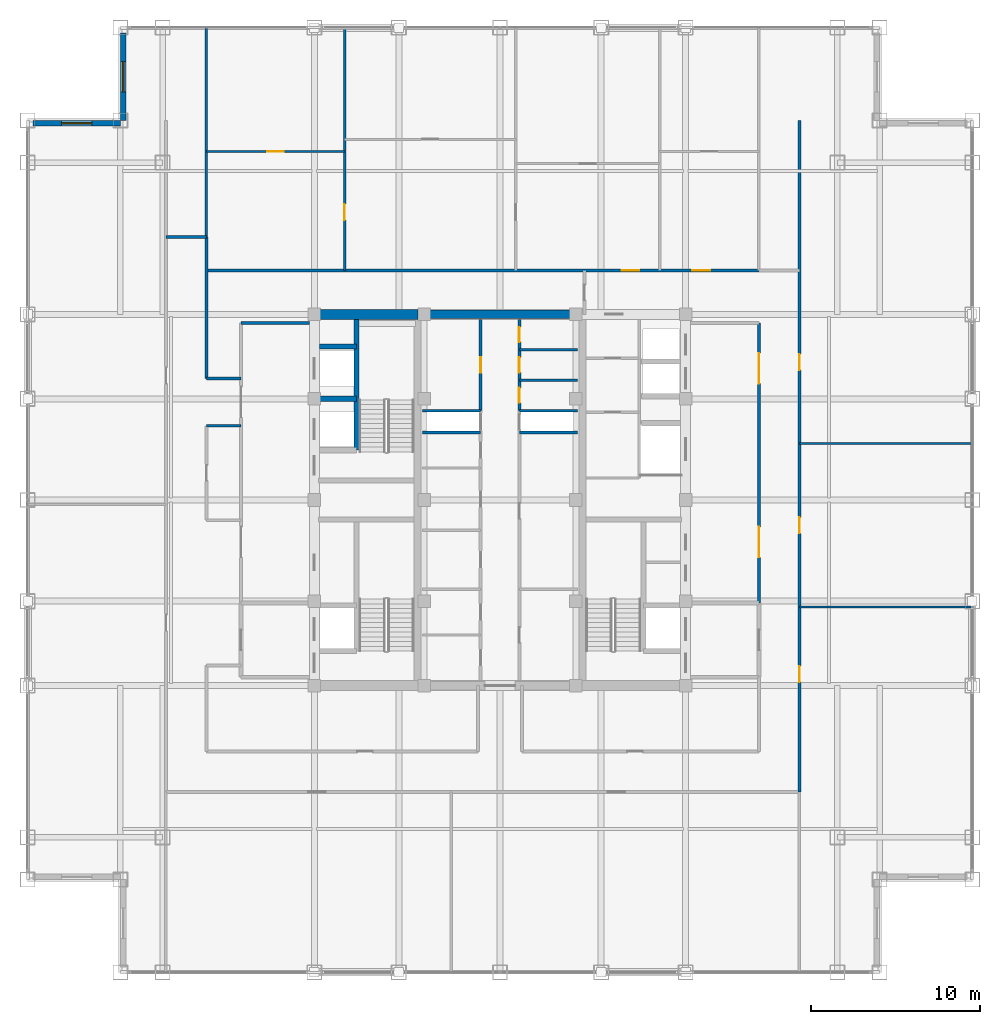
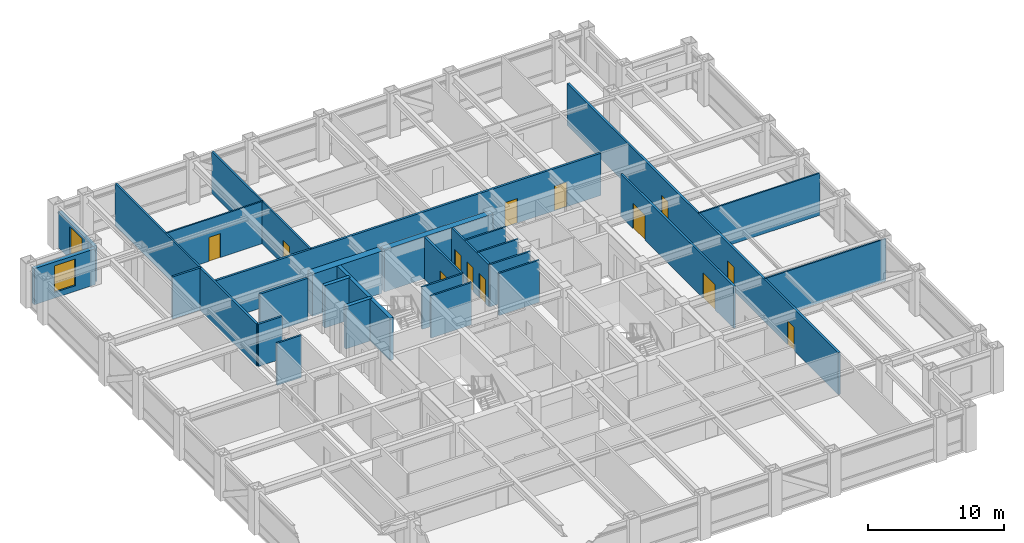
# One storey, part 20 of 22: 28 walls, 13 doors, 2 windows, 15 openings.
"""IFC4 building model written with IfcOpenShell, lengths in metres."""

import ifcopenshell
import ifcopenshell.guid

model = None  # the IFC model being written
_history = None  # IfcOwnerHistory: only IFC2X3 demands one
_inside = {}  # id of a spatial element -> (the spatial element, [elements in it])
_under = {}  # id of a project, library or spatial element -> (it, [spatial elements below it])
_declared = {}  # id of a project -> (the project, [libraries it declares])
_typed = {}  # id of a type object -> (the type object, [elements of that type])
_made_of = {}  # id of a material, layer set ... -> (it, [elements and type objects made of it])


def new_model(schema):
    """Start an empty IFC model of exactly this schema.

    Asked for "IFC4X3", IfcOpenShell would pick the latest addendum, in which some entities
    have other attributes; the version numbers below select the first issue.
    IFC2X3 requires an IfcOwnerHistory on every rooted entity: one is made here for all.
    """
    global model, _history
    if schema == "IFC4X3":
        model = ifcopenshell.file(schema_version=(4, 3, 0, 0))
    else:
        model = ifcopenshell.file(schema=schema)
    _inside.clear()
    _under.clear()
    _declared.clear()
    _typed.clear()
    _made_of.clear()
    _history = None
    if model.schema == "IFC2X3":
        org = make("IfcOrganization", Name="unknown")
        user = make(
            "IfcPersonAndOrganization",
            ThePerson=make("IfcPerson", FamilyName="unknown"),
            TheOrganization=org,
        )
        app = make(
            "IfcApplication",
            ApplicationDeveloper=org,
            Version="unknown",
            ApplicationFullName="unknown",
            ApplicationIdentifier="unknown",
        )
        _history = make(
            "IfcOwnerHistory",
            OwningUser=user,
            OwningApplication=app,
            ChangeAction="ADDED",
            CreationDate=0,
        )
    return model


def make(cls, **values):
    """One entity of the class cls with the attributes given. An attribute that is None is left unset."""
    return model.create_entity(
        cls, **{name: value for name, value in values.items() if value is not None}
    )


def rooted(cls, **values):
    """An entity with a GlobalId (a new one), such as an element, a storey or a relation."""
    return make(cls, GlobalId=ifcopenshell.guid.new(), OwnerHistory=_history, **values)


def si_unit(unit_type, name, prefix=None):
    """IfcSIUnit, for example si_unit("LENGTHUNIT", "METRE", prefix="MILLI")."""
    return make("IfcSIUnit", UnitType=unit_type, Prefix=prefix, Name=name)


def assignment(units):
    """IfcUnitAssignment: the units of a project."""
    return None if units is None else make("IfcUnitAssignment", Units=units)


def point(xyz):
    """IfcCartesianPoint."""
    return None if xyz is None else make("IfcCartesianPoint", Coordinates=xyz)


def direction(xyz):
    """IfcDirection."""
    return None if xyz is None else make("IfcDirection", DirectionRatios=xyz)


def frame(location, z_axis=None, x_axis=None):
    """IfcAxis2Placement3D, a coordinate frame: its origin and axes. An axis left out is left unset."""
    return make(
        "IfcAxis2Placement3D",
        Location=point(location),
        Axis=direction(z_axis),
        RefDirection=direction(x_axis),
    )


def frame_2d(location, x_axis=None):
    """IfcAxis2Placement2D, a coordinate frame in the plane: its origin and x axis."""
    return make(
        "IfcAxis2Placement2D", Location=point(location), RefDirection=direction(x_axis)
    )


def origin():
    """The frame at (0, 0, 0) with its axes left unset."""
    return frame((0.0, 0.0, 0.0))


def place(relative_to, where):
    """IfcLocalPlacement: puts the frame where relative to a parent placement (None: the world)."""
    return make(
        "IfcLocalPlacement", PlacementRelTo=relative_to, RelativePlacement=where
    )


def context(
    kind, dimensions, precision=None, world=None, true_north=None, identifier=None
):
    """IfcGeometricRepresentationContext, for example the 3D "Model" context."""
    return make(
        "IfcGeometricRepresentationContext",
        ContextIdentifier=identifier,
        ContextType=kind,
        CoordinateSpaceDimension=dimensions,
        Precision=precision,
        WorldCoordinateSystem=world,
        TrueNorth=true_north,
    )


def subcontext(parent, identifier, kind, view, scale=None):
    """IfcGeometricRepresentationSubContext, for example "Body" below "Model"."""
    return make(
        "IfcGeometricRepresentationSubContext",
        ContextIdentifier=identifier,
        ContextType=kind,
        ParentContext=parent,
        TargetScale=scale,
        TargetView=view,
    )


def project(units=None, contexts=None):
    """IfcProject with its units and contexts."""
    return rooted(
        "IfcProject",
        Name="project",
        RepresentationContexts=contexts,
        UnitsInContext=assignment(units),
    )


def spatial(cls, under=None, at=None, **own):
    """A site, building, storey or space (cls), placed at a placement, below another one or the project."""
    s = rooted(cls, ObjectPlacement=at, **own)
    if under is not None:
        _under.setdefault(under.id(), (under, []))[1].append(s)
    return s


def profile(cls, at=None, kind="AREA", **sizes):
    """A parametric profile (cls). Its sizes go by their IFC names, for example OverallWidth=200.0."""
    return make(cls, ProfileType=kind, Position=at, **sizes)


def rectangle(**sizes):
    """IfcRectangleProfileDef."""
    return profile("IfcRectangleProfileDef", **sizes)


def extrude(swept, where, along, depth):
    """IfcExtrudedAreaSolid: the profile swept, set in the frame where, extruded along a direction by depth."""
    return make(
        "IfcExtrudedAreaSolid",
        SweptArea=swept,
        Position=where,
        ExtrudedDirection=direction(along),
        Depth=depth,
    )


def shape(context_of_items, identifier, shape_type, items):
    """IfcShapeRepresentation: the items that make up one representation, for example the "Body"."""
    return make(
        "IfcShapeRepresentation",
        ContextOfItems=context_of_items,
        RepresentationIdentifier=identifier,
        RepresentationType=shape_type,
        Items=items,
    )


def source(mapping_origin, context_of_items, identifier, shape_type, items):
    """IfcRepresentationMap: a shape defined once, which mapped items show again and again."""
    return make(
        "IfcRepresentationMap",
        MappingOrigin=mapping_origin,
        MappedRepresentation=shape(context_of_items, identifier, shape_type, items),
    )


def transform(
    local_origin,
    x_axis=None,
    y_axis=None,
    z_axis=None,
    scale=None,
    scale2=None,
    scale3=None,
    uniform=True,
):
    """IfcCartesianTransformationOperator3D, or its non-uniform kind. x_axis, y_axis, z_axis: its Axis1, 2, 3."""
    if uniform:
        return make(
            "IfcCartesianTransformationOperator3D",
            Axis1=direction(x_axis),
            Axis2=direction(y_axis),
            LocalOrigin=point(local_origin),
            Scale=scale,
            Axis3=direction(z_axis),
        )
    return make(
        "IfcCartesianTransformationOperator3DnonUniform",
        Axis1=direction(x_axis),
        Axis2=direction(y_axis),
        LocalOrigin=point(local_origin),
        Scale=scale,
        Axis3=direction(z_axis),
        Scale2=scale2,
        Scale3=scale3,
    )


def mapped(mapping_source, mapping_target):
    """IfcMappedItem: shows the shape of a source again, moved by a transform."""
    return make(
        "IfcMappedItem", MappingSource=mapping_source, MappingTarget=mapping_target
    )


def material(Name=None, Category=None):
    """IfcMaterial."""
    return make("IfcMaterial", Name=Name, Category=Category)


def layer(
    of_material, thickness, ventilated=None, Name=None, Category=None, Priority=None
):
    """IfcMaterialLayer: one layer of a wall or slab, of a material (None: an air gap)."""
    return make(
        "IfcMaterialLayer",
        Material=of_material,
        LayerThickness=thickness,
        IsVentilated=ventilated,
        Name=Name,
        Category=Category,
        Priority=Priority,
    )


def layer_set(layers, Name=None):
    """IfcMaterialLayerSet."""
    return make("IfcMaterialLayerSet", MaterialLayers=layers, LayerSetName=Name)


def made_of(thing, what):
    """Note that an element or type object is made of a material, layer set ...; save() writes the relation."""
    if what is not None:
        _made_of.setdefault(what.id(), (what, []))[1].append(thing)
    return thing


def type_object(cls, material=None, **own):
    """A type object (cls), such as IfcWallType, which elements share."""
    return made_of(rooted(cls, **own), material)


def element(
    cls,
    number,
    at=None,
    inside=None,
    cuts=None,
    type_object=None,
    material=None,
    context=None,
    identifier="Body",
    shape_type=None,
    held_by="IfcProductDefinitionShape",
    body=None,
    shapes=None,
    **own,
):
    """One element of the class cls, such as IfcWall. Its Tag is "e" and its number.

    at: its placement. inside: the storey or other place that contains it. cuts: it is an
    opening in that element (IfcRelVoidsElement). A single representation is given by context,
    identifier, shape_type and body (its items); several are given by shapes. held_by: the class
    of the entity that holds the representations. save() writes the other relations.
    """
    e = rooted(cls, Tag="e%d" % number, ObjectPlacement=at, **own)
    if body is not None:
        shapes = [shape(context, identifier, shape_type, body)]
    if shapes is not None:
        e.Representation = make(held_by, Representations=shapes)
    if inside is not None:
        _inside.setdefault(inside.id(), (inside, []))[1].append(e)
    if cuts is not None:
        rooted(
            "IfcRelVoidsElement", RelatingBuildingElement=cuts, RelatedOpeningElement=e
        )
    if type_object is not None:
        _typed.setdefault(type_object.id(), (type_object, []))[1].append(e)
    return made_of(e, material)


def fill(opening, filler):
    """IfcRelFillsElement: the door or window that sits in an opening."""
    return rooted(
        "IfcRelFillsElement",
        RelatingOpeningElement=opening,
        RelatedBuildingElement=filler,
    )


def aggregate(whole, parts):
    """IfcRelAggregates: a whole, such as a stair, and the parts it consists of."""
    return rooted("IfcRelAggregates", RelatingObject=whole, RelatedObjects=parts)


def save(model, path):
    """Write the relations noted so far, then the file.

    IfcRelAggregates (storeys below a building ...), IfcRelContainedInSpatialStructure (elements
    in a storey), IfcRelDefinesByType, IfcRelAssociatesMaterial and IfcRelDeclares: one each for
    every whole, place, type object, material and project.
    """
    for whole, parts in _under.values():
        aggregate(whole, parts)
    for where, things in _inside.values():
        rooted(
            "IfcRelContainedInSpatialStructure",
            RelatedElements=things,
            RelatingStructure=where,
        )
    for kind, things in _typed.values():
        rooted("IfcRelDefinesByType", RelatedObjects=things, RelatingType=kind)
    for what, things in _made_of.values():
        rooted("IfcRelAssociatesMaterial", RelatedObjects=things, RelatingMaterial=what)
    for by, libraries in _declared.values():
        rooted("IfcRelDeclares", RelatingContext=by, RelatedDefinitions=libraries)
    model.write(path)


model = new_model("IFC4")

# Units and contexts
model_context = context("Model", 3, precision=1e-05, world=origin(), true_north=direction((0.0, 1.0)))
body_context = subcontext(model_context, "Body", "Model", "MODEL_VIEW")
ifc_project = project(units=[si_unit("LENGTHUNIT", "METRE"), si_unit("AREAUNIT", "SQUARE_METRE"), si_unit("VOLUMEUNIT", "CUBIC_METRE"), si_unit("PLANEANGLEUNIT", "RADIAN"), si_unit("MASSUNIT", "GRAM", prefix="KILO")], contexts=[model_context])

# Site, building, storey
site_placement = place(None, origin())
site = spatial("IfcSite", under=ifc_project, at=site_placement, CompositionType="ELEMENT")
building_placement = place(site_placement, origin())
building = spatial("IfcBuilding", under=site, at=building_placement, Name="Khorayat Bourse Tower", CompositionType="ELEMENT")
storey_placement = place(building_placement, frame((0.0, 0.0, 301.5)))
storey = spatial("IfcBuildingStorey", under=building, at=storey_placement, Name="L71", CompositionType="ELEMENT", Elevation=301.5)

# Walls
ifc_material_1 = material(Name="Concrete C60/75", Category="concrete")
ifc_layer_1 = layer(ifc_material_1, 0.60009765625)
ifc_layer_set_1 = layer_set([ifc_layer_1], Name="Concrete C60/75")
wall_type_1 = type_object("IfcWallType", Name="WAL-CORE-600", PredefinedType="SHEAR", material=ifc_layer_set_1)
shared_shape_1 = source(origin(), body_context, "Body", "SweptSolid", [
    extrude(rectangle(XDim=5.89990234375, YDim=0.60009765625, at=frame_2d((2.949951171875, 0.0))), origin(), (0.0, 0.0, 1.0), 3.780029296875),
])
wall_1_placement = place(storey_placement, frame((-10.75, 11.0, 0.0), z_axis=(0.0, 0.0, 1.0), x_axis=(1.0, 0.0, 0.0)))
element("IfcWall", 1, at=wall_1_placement, inside=storey, type_object=wall_type_1, Name="L71 Core Shear Wall PIER-WN", PredefinedType="SHEAR", context=body_context, shape_type="MappedRepresentation", body=[
    mapped(shared_shape_1, transform((0.0, 0.0, 0.0), scale=1.0)),
])
ifc_material_2 = material(Name="Concrete C52/65", Category="concrete")
ifc_layer_2 = layer(ifc_material_2, 0.5)
ifc_layer_set_2 = layer_set([ifc_layer_2], Name="Concrete C52/65")
wall_type_2 = type_object("IfcWallType", Name="WAL-CORE-500", PredefinedType="SHEAR", material=ifc_layer_set_2)
shared_shape_2 = source(origin(), body_context, "Body", "SweptSolid", [
    extrude(rectangle(XDim=9.2001953125, YDim=0.5, at=frame_2d((4.60009765625, 0.0))), origin(), (0.0, 0.0, 1.0), 3.780029296875),
])
wall_2_placement = place(storey_placement, frame((-4.60009765625, 11.0, 0.0), z_axis=(0.0, 0.0, 1.0), x_axis=(1.0, 0.0, 0.0)))
element("IfcWall", 2, at=wall_2_placement, inside=storey, type_object=wall_type_2, Name="L71 Core Shear Wall CORE-N", PredefinedType="SHEAR", context=body_context, shape_type="MappedRepresentation", body=[
    mapped(shared_shape_2, transform((0.0, 0.0, 0.0), scale=1.0)),
])

# Wall, opening, window
ifc_material_3 = material(Name="Precast concrete C45/55", Category="concrete")
ifc_layer_3 = layer(ifc_material_3, 0.320068359375)
ifc_layer_set_3 = layer_set([ifc_layer_3], Name="Precast concrete C45/55")
wall_type_3 = type_object("IfcWallType", Name="WAL-EXT-STONE-320", PredefinedType="STANDARD", material=ifc_layer_set_3)
shared_shape_3 = source(origin(), body_context, "Body", "SweptSolid", [
    extrude(rectangle(XDim=5.179931640625, YDim=0.320068359375, at=frame_2d((2.58984375, 0.0))), origin(), (0.0, 0.0, 1.0), 3.23095703125),
])
wall_3_placement = place(storey_placement, frame((-22.340087890625, 22.5, 0.0), z_axis=(0.0, 0.0, 1.0), x_axis=(0.0, 1.0, 0.0)))
wall_3 = element("IfcWall", 3, at=wall_3_placement, inside=storey, type_object=wall_type_3, Name="L71 Re-Entrant Notch Limestone Wall NW-V", PredefinedType="STANDARD", context=body_context, shape_type="MappedRepresentation", body=[
    mapped(shared_shape_3, transform((0.0, 0.0, 0.0), scale=1.0)),
])
shared_shape_4 = source(origin(), body_context, "Body", "SweptSolid", [
    extrude(rectangle(XDim=1.800048828125, YDim=2.39990234375, at=frame_2d((0.89990234375, 1.199951171875))), frame((0.0, 0.169921875, 0.0), z_axis=(0.0, -1.0, 0.0), x_axis=(1.0, 0.0, 0.0)), (0.0, 0.0, 1.0), 0.340087890625),
])
opening_1_placement = place(wall_3_placement, frame((1.68994140625, 0.0, 0.5)))
opening_1 = element("IfcOpeningElement", 4, at=opening_1_placement, cuts=wall_3, Name="Opening WN-04", PredefinedType="OPENING", context=body_context, shape_type="MappedRepresentation", body=[
    mapped(shared_shape_4, transform((0.0, 0.0, 0.0), scale=1.0)),
])
ifc_material_4 = material(Name="Low-E acoustic laminated double glazing", Category="glass")
window_type = type_object("IfcWindowType", Name="WIN-NOTCH-1800x2400", PartitioningType="SINGLE_PANEL", PredefinedType="WINDOW", material=ifc_material_4)
shared_shape_5 = source(origin(), body_context, "Body", "SweptSolid", [
    extrude(rectangle(XDim=1.800048828125, YDim=2.39990234375, at=frame_2d((0.89990234375, 1.199951171875))), frame((0.0, 0.030029296875, 0.0), z_axis=(0.0, -1.0, 0.0), x_axis=(1.0, 0.0, 0.0)), (0.0, 0.0, 1.0), 0.06005859375),
])
window_1_placement = place(opening_1_placement, origin())
window_1 = element("IfcWindow", 5, at=window_1_placement, inside=storey, type_object=window_type, Name="L71 Facade Window 1", OverallHeight=2.39990234375, OverallWidth=1.800048828125, PartitioningType="SINGLE_PANEL", PredefinedType="WINDOW", context=body_context, shape_type="MappedRepresentation", body=[
    mapped(shared_shape_5, transform((0.0, 0.0, 0.0), scale=1.0)),
])
fill(opening_1, window_1)

wall_4_placement = place(storey_placement, frame((-22.5, 22.340087890625, 0.0), z_axis=(0.0, 0.0, 1.0), x_axis=(-1.0, 0.0, 0.0)))
wall_4 = element("IfcWall", 6, at=wall_4_placement, inside=storey, type_object=wall_type_3, Name="L71 Re-Entrant Notch Limestone Wall NW-H", PredefinedType="STANDARD", context=body_context, shape_type="MappedRepresentation", body=[
    mapped(shared_shape_3, transform((0.0, 0.0, 0.0), scale=1.0)),
])
opening_2_placement = place(wall_4_placement, frame((1.68994140625, 0.0, 0.5)))
opening_2 = element("IfcOpeningElement", 7, at=opening_2_placement, cuts=wall_4, Name="Opening WN-04", PredefinedType="OPENING", context=body_context, shape_type="MappedRepresentation", body=[
    mapped(shared_shape_4, transform((0.0, 0.0, 0.0), scale=1.0)),
])
window_2_placement = place(opening_2_placement, origin())
window_2 = element("IfcWindow", 8, at=window_2_placement, inside=storey, type_object=window_type, Name="L71 Facade Window 1", OverallHeight=2.39990234375, OverallWidth=1.800048828125, PartitioningType="SINGLE_PANEL", PredefinedType="WINDOW", context=body_context, shape_type="MappedRepresentation", body=[
    mapped(shared_shape_5, transform((0.0, 0.0, 0.0), scale=1.0)),
])
fill(opening_2, window_2)

# Walls
ifc_material_5 = material(Name="Concrete C50/60", Category="concrete")
ifc_layer_4 = layer(ifc_material_5, 0.300048828125)
ifc_layer_set_4 = layer_set([ifc_layer_4], Name="Concrete C50/60")
wall_type_4 = type_object("IfcWallType", Name="WAL-SHAFT-300", PredefinedType="SHEAR", material=ifc_layer_set_4)
shared_shape_6 = source(origin(), body_context, "Body", "SweptSolid", [
    extrude(rectangle(XDim=2.199951171875, YDim=0.300048828125, at=frame_2d((1.10009765625, 0.0))), origin(), (0.0, 0.0, 1.0), 3.780029296875),
])
for number, where, z_axis, x_axis, name in (
    (9, (-10.699951171875, 6.0, 0.0), (0.0, 0.0, 1.0), (1.0, 0.0, 0.0), "L71 Partition WAL-L71-WPIER-H12"),
    (10, (-10.699951171875, 9.10009765625, 0.0), (0.0, 0.0, 1.0), (1.0, 0.0, 0.0), "L71 Partition WAL-L71-WPIER-H2N"),
):
    element("IfcWall", number, at=place(storey_placement, frame(where, z_axis=z_axis, x_axis=x_axis)), inside=storey, type_object=wall_type_4, Name=name, PredefinedType="SHEAR", context=body_context, shape_type="MappedRepresentation", body=[
        mapped(shared_shape_6, transform((0.0, 0.0, 0.0), scale=1.0)),
    ])
shared_shape_7 = source(origin(), body_context, "Body", "SweptSolid", [
    extrude(rectangle(XDim=7.75, YDim=0.300048828125, at=frame_2d((3.875, 0.0))), origin(), (0.0, 0.0, 1.0), 3.780029296875),
])
wall_5_placement = place(storey_placement, frame((-8.5, 2.949951171875, 0.0), z_axis=(0.0, 0.0, 1.0), x_axis=(0.0, 1.0, 0.0)))
element("IfcWall", 11, at=wall_5_placement, inside=storey, type_object=wall_type_4, Name="L71 Partition WAL-L71-WPIER-ST2S", PredefinedType="SHEAR", context=body_context, shape_type="MappedRepresentation", body=[
    mapped(shared_shape_7, transform((0.0, 0.0, 0.0), scale=1.0)),
])
ifc_material_6 = material(Name="Gypsum plasterboard acoustic stud wall")
ifc_layer_5 = layer(ifc_material_6, 0.179931640625)
ifc_layer_set_5 = layer_set([ifc_layer_5], Name="Gypsum plasterboard acoustic stud wall")
wall_type_5 = type_object("IfcWallType", Name="WAL-PART-CORR-180", PredefinedType="PARTITIONING", material=ifc_layer_set_5)
shared_shape_8 = source(origin(), body_context, "Body", "SweptSolid", [
    extrude(rectangle(XDim=4.050048828125, YDim=0.179931640625, at=frame_2d((2.02490234375, 0.0))), origin(), (0.0, 0.0, 1.0), 3.780029296875),
])
wall_6_placement = place(storey_placement, frame((-15.35009765625, 10.5, 0.0), z_axis=(0.0, 0.0, 1.0), x_axis=(1.0, 0.0, 0.0)))
element("IfcWall", 12, at=wall_6_placement, inside=storey, type_object=wall_type_5, Name="L71 Partition WAL-L71-WLOB-N", PredefinedType="PARTITIONING", context=body_context, shape_type="MappedRepresentation", body=[
    mapped(shared_shape_8, transform((0.0, 0.0, 0.0), scale=1.0)),
])

# Wall, openings, doors
shared_shape_9 = source(origin(), body_context, "Body", "SweptSolid", [
    extrude(rectangle(XDim=16.60009765625, YDim=0.179931640625, at=frame_2d((8.300048828125, 0.0))), origin(), (0.0, 0.0, 1.0), 3.780029296875),
])
wall_7_placement = place(storey_placement, frame((15.35009765625, -6.10009765625, 0.0), z_axis=(0.0, 0.0, 1.0), x_axis=(0.0, 1.0, 0.0)))
wall_7 = element("IfcWall", 13, at=wall_7_placement, inside=storey, type_object=wall_type_5, Name="L71 Partition WAL-L71-ELOB-E", PredefinedType="PARTITIONING", context=body_context, shape_type="MappedRepresentation", body=[
    mapped(shared_shape_9, transform((0.0, 0.0, 0.0), scale=1.0)),
])
shared_shape_10 = source(origin(), body_context, "Body", "SweptSolid", [
    extrude(rectangle(XDim=1.800048828125, YDim=2.25, at=frame_2d((0.89990234375, 1.125))), frame((0.0, 0.099853515625, 0.0), z_axis=(0.0, -1.0, 0.0), x_axis=(1.0, 0.0, 0.0)), (0.0, 0.0, 1.0), 0.199951171875),
])
opening_3_placement = place(wall_7_placement, frame((2.699951171875, 0.0, 0.0)))
opening_3 = element("IfcOpeningElement", 14, at=opening_3_placement, cuts=wall_7, Name="Opening DI-03", PredefinedType="OPENING", context=body_context, shape_type="MappedRepresentation", body=[
    mapped(shared_shape_10, transform((0.0, 0.0, 0.0), scale=1.0)),
])
opening_4_placement = place(wall_7_placement, frame((13.0, 0.0, 0.0)))
opening_4 = element("IfcOpeningElement", 15, at=opening_4_placement, cuts=wall_7, Name="Opening DI-03", PredefinedType="OPENING", context=body_context, shape_type="MappedRepresentation", body=[
    mapped(shared_shape_10, transform((0.0, 0.0, 0.0), scale=1.0)),
])
ifc_material_7 = material(Name="Fire-rated hardwood vision-panel double leaf", Category="wood")
door_type_1 = type_object("IfcDoorType", Name="DR-INT-CORR-1800", OperationType="NOTDEFINED", PredefinedType="DOOR", material=ifc_material_7)
shared_shape_11 = source(origin(), body_context, "Body", "SweptSolid", [
    extrude(rectangle(XDim=1.800048828125, YDim=2.25, at=frame_2d((0.89990234375, 1.125))), frame((0.0, 0.02490234375, 0.0), z_axis=(0.0, -1.0, 0.0), x_axis=(1.0, 0.0, 0.0)), (0.0, 0.0, 1.0), 0.050048828125),
])
door_1_placement = place(opening_3_placement, origin())
door_1 = element("IfcDoor", 16, at=door_1_placement, inside=storey, type_object=door_type_1, Name="L71 East Core Lobby South Door", OperationType="SINGLE_SWING_RIGHT", OverallHeight=2.25, OverallWidth=1.800048828125, PredefinedType="DOOR", context=body_context, shape_type="MappedRepresentation", body=[
    mapped(shared_shape_11, transform((0.0, 0.0, 0.0), scale=1.0)),
])
fill(opening_3, door_1)
door_2_placement = place(opening_4_placement, origin())
door_2 = element("IfcDoor", 17, at=door_2_placement, inside=storey, type_object=door_type_1, Name="L71 East Core Lobby North Door", OperationType="SINGLE_SWING_LEFT", OverallHeight=2.25, OverallWidth=1.800048828125, PredefinedType="DOOR", context=body_context, shape_type="MappedRepresentation", body=[
    mapped(shared_shape_11, transform((0.0, 0.0, 0.0), scale=1.0)),
])
fill(opening_4, door_2)

# Walls
ifc_material_8 = material(Name="Gypsum plasterboard twin-frame partition")
ifc_layer_6 = layer(ifc_material_8, 0.14990234375)
ifc_layer_set_6 = layer_set([ifc_layer_6], Name="Gypsum plasterboard twin-frame partition")
wall_type_6 = type_object("IfcWallType", Name="WAL-PART-SUITE-150", PredefinedType="PARTITIONING", material=ifc_layer_set_6)
shared_shape_12 = source(origin(), body_context, "Body", "SweptSolid", [
    extrude(rectangle(XDim=3.4501953125, YDim=0.14990234375, at=frame_2d((1.72509765625, 0.0))), origin(), (0.0, 0.0, 1.0), 3.780029296875),
])
for number, where, z_axis, x_axis, name in (
    (18, (-4.60009765625, 4.0, 0.0), (0.0, 0.0, 1.0), (1.0, 0.0, 0.0), "L71 Partition WAL-L71-CRSW-S"),
    (19, (1.14990234375, 4.0, 0.0), (0.0, 0.0, 1.0), (1.0, 0.0, 0.0), "L71 Partition WAL-L71-CRSE-S"),
    (20, (-4.60009765625, 5.300048828125, 0.0), (0.0, 0.0, 1.0), (1.0, 0.0, 0.0), "L71 Partition WAL-L71-FB2-SW"),
    (21, (1.14990234375, 5.300048828125, 0.0), (0.0, 0.0, 1.0), (1.0, 0.0, 0.0), "L71 Partition WAL-L71-FB2-SE"),
):
    element("IfcWall", number, at=place(storey_placement, frame(where, z_axis=z_axis, x_axis=x_axis)), inside=storey, type_object=wall_type_6, Name=name, PredefinedType="PARTITIONING", context=body_context, shape_type="MappedRepresentation", body=[
        mapped(shared_shape_12, transform((0.0, 0.0, 0.0), scale=1.0)),
    ])

# Wall, opening, door
shared_shape_13 = source(origin(), body_context, "Body", "SweptSolid", [
    extrude(rectangle(XDim=5.39990234375, YDim=0.179931640625, at=frame_2d((2.699951171875, 0.0))), origin(), (0.0, 0.0, 1.0), 3.780029296875),
])
wall_8_placement = place(storey_placement, frame((-1.14990234375, 5.300048828125, 0.0), z_axis=(0.0, 0.0, 1.0), x_axis=(0.0, 1.0, 0.0)))
wall_8 = element("IfcWall", 22, at=wall_8_placement, inside=storey, type_object=wall_type_5, Name="L71 Partition WAL-L71-FB2W-L", PredefinedType="PARTITIONING", context=body_context, shape_type="MappedRepresentation", body=[
    mapped(shared_shape_13, transform((0.0, 0.0, 0.0), scale=1.0)),
])
shared_shape_14 = source(origin(), body_context, "Body", "SweptSolid", [
    extrude(rectangle(XDim=0.89990234375, YDim=2.14990234375, at=frame_2d((0.449951171875, 1.074951171875))), frame((0.0, 0.099853515625, 0.0), z_axis=(0.0, -1.0, 0.0), x_axis=(1.0, 0.0, 0.0)), (0.0, 0.0, 1.0), 0.199951171875),
])
opening_5_placement = place(wall_8_placement, frame((2.25, 0.0, 0.0)))
opening_5 = element("IfcOpeningElement", 23, at=opening_5_placement, cuts=wall_8, Name="Opening DI-06", PredefinedType="OPENING", context=body_context, shape_type="MappedRepresentation", body=[
    mapped(shared_shape_14, transform((0.0, 0.0, 0.0), scale=1.0)),
])
ifc_material_9 = material(Name="Moisture-resistant laminate washroom door")
door_type_2 = type_object("IfcDoorType", Name="DR-INT-WC-900", OperationType="NOTDEFINED", PredefinedType="DOOR", material=ifc_material_9)
shared_shape_15 = source(origin(), body_context, "Body", "SweptSolid", [
    extrude(rectangle(XDim=0.89990234375, YDim=2.14990234375, at=frame_2d((0.449951171875, 1.074951171875))), frame((0.0, 0.02490234375, 0.0), z_axis=(0.0, -1.0, 0.0), x_axis=(1.0, 0.0, 0.0)), (0.0, 0.0, 1.0), 0.050048828125),
])
door_3_placement = place(opening_5_placement, origin())
door_3 = element("IfcDoor", 24, at=door_3_placement, inside=storey, type_object=door_type_2, Name="L71 Executive Archive Vault Door", OperationType="SINGLE_SWING_RIGHT", OverallHeight=2.14990234375, OverallWidth=0.89990234375, PredefinedType="DOOR", context=body_context, shape_type="MappedRepresentation", body=[
    mapped(shared_shape_15, transform((0.0, 0.0, 0.0), scale=1.0)),
])
fill(opening_5, door_3)

# Wall, openings, doors
wall_9_placement = place(storey_placement, frame((1.14990234375, 5.300048828125, 0.0), z_axis=(0.0, 0.0, 1.0), x_axis=(0.0, 1.0, 0.0)))
wall_9 = element("IfcWall", 25, at=wall_9_placement, inside=storey, type_object=wall_type_5, Name="L71 Partition WAL-L71-FB2E-L", PredefinedType="PARTITIONING", context=body_context, shape_type="MappedRepresentation", body=[
    mapped(shared_shape_13, transform((0.0, 0.0, 0.0), scale=1.0)),
])
opening_6_placement = place(wall_9_placement, frame((0.449951171875, 0.0, 0.0)))
opening_6 = element("IfcOpeningElement", 26, at=opening_6_placement, cuts=wall_9, Name="Opening DI-06", PredefinedType="OPENING", context=body_context, shape_type="MappedRepresentation", body=[
    mapped(shared_shape_14, transform((0.0, 0.0, 0.0), scale=1.0)),
])
opening_7_placement = place(wall_9_placement, frame((2.25, 0.0, 0.0)))
opening_7 = element("IfcOpeningElement", 27, at=opening_7_placement, cuts=wall_9, Name="Opening DI-06", PredefinedType="OPENING", context=body_context, shape_type="MappedRepresentation", body=[
    mapped(shared_shape_14, transform((0.0, 0.0, 0.0), scale=1.0)),
])
opening_8_placement = place(wall_9_placement, frame((4.050048828125, 0.0, 0.0)))
opening_8 = element("IfcOpeningElement", 28, at=opening_8_placement, cuts=wall_9, Name="Opening DI-06", PredefinedType="OPENING", context=body_context, shape_type="MappedRepresentation", body=[
    mapped(shared_shape_14, transform((0.0, 0.0, 0.0), scale=1.0)),
])
door_4_placement = place(opening_6_placement, origin())
door_4 = element("IfcDoor", 29, at=door_4_placement, inside=storey, type_object=door_type_2, Name="L71 Facility Store A Door", OperationType="SINGLE_SWING_RIGHT", OverallHeight=2.14990234375, OverallWidth=0.89990234375, PredefinedType="DOOR", context=body_context, shape_type="MappedRepresentation", body=[
    mapped(shared_shape_15, transform((0.0, 0.0, 0.0), scale=1.0)),
])
fill(opening_6, door_4)
door_5_placement = place(opening_7_placement, origin())
door_5 = element("IfcDoor", 30, at=door_5_placement, inside=storey, type_object=door_type_2, Name="L71 BMS Closet Door", OperationType="SINGLE_SWING_LEFT", OverallHeight=2.14990234375, OverallWidth=0.89990234375, PredefinedType="DOOR", context=body_context, shape_type="MappedRepresentation", body=[
    mapped(shared_shape_15, transform((0.0, 0.0, 0.0), scale=1.0)),
])
fill(opening_7, door_5)
door_6_placement = place(opening_8_placement, origin())
door_6 = element("IfcDoor", 31, at=door_6_placement, inside=storey, type_object=door_type_2, Name="L71 Facility Store B Door", OperationType="SINGLE_SWING_RIGHT", OverallHeight=2.14990234375, OverallWidth=0.89990234375, PredefinedType="DOOR", context=body_context, shape_type="MappedRepresentation", body=[
    mapped(shared_shape_15, transform((0.0, 0.0, 0.0), scale=1.0)),
])
fill(opening_8, door_6)

# Walls
ifc_material_10 = material(Name="Moisture-resistant masonry partition", Category="masonry")
ifc_layer_7 = layer(ifc_material_10, 0.139892578125)
ifc_layer_set_7 = layer_set([ifc_layer_7], Name="Moisture-resistant masonry partition")
wall_type_7 = type_object("IfcWallType", Name="WAL-PART-WET-140", PredefinedType="PARTITIONING", material=ifc_layer_set_7)
shared_shape_16 = source(origin(), body_context, "Body", "SweptSolid", [
    extrude(rectangle(XDim=3.4501953125, YDim=0.139892578125, at=frame_2d((1.72509765625, 0.0))), origin(), (0.0, 0.0, 1.0), 3.780029296875),
])
for number, where, z_axis, x_axis, name in (
    (32, (1.14990234375, 7.10009765625, 0.0), (0.0, 0.0, 1.0), (1.0, 0.0, 0.0), "L71 Partition WAL-L71-FB2E-D1"),
    (33, (1.14990234375, 8.89990234375, 0.0), (0.0, 0.0, 1.0), (1.0, 0.0, 0.0), "L71 Partition WAL-L71-FB2E-D2"),
):
    element("IfcWall", number, at=place(storey_placement, frame(where, z_axis=z_axis, x_axis=x_axis)), inside=storey, type_object=wall_type_7, Name=name, PredefinedType="PARTITIONING", context=body_context, shape_type="MappedRepresentation", body=[
        mapped(shared_shape_16, transform((0.0, 0.0, 0.0), scale=1.0)),
    ])
shared_shape_17 = source(origin(), body_context, "Body", "SweptSolid", [
    extrude(rectangle(XDim=2.0498046875, YDim=0.14990234375, at=frame_2d((1.02490234375, 0.0))), origin(), (0.0, 0.0, 1.0), 3.780029296875),
])
wall_10_placement = place(storey_placement, frame((-17.39990234375, 4.39990234375, 0.0), z_axis=(0.0, 0.0, 1.0), x_axis=(1.0, 0.0, 0.0)))
element("IfcWall", 34, at=wall_10_placement, inside=storey, type_object=wall_type_6, Name="L71 Partition WAL-L71-PKWM-N", PredefinedType="PARTITIONING", context=body_context, shape_type="MappedRepresentation", body=[
    mapped(shared_shape_17, transform((0.0, 0.0, 0.0), scale=1.0)),
])
shared_shape_18 = source(origin(), body_context, "Body", "SweptSolid", [
    extrude(rectangle(XDim=2.0498046875, YDim=0.179931640625, at=frame_2d((1.02490234375, 0.0))), origin(), (0.0, 0.0, 1.0), 3.780029296875),
])
wall_11_placement = place(storey_placement, frame((-17.39990234375, 7.199951171875, 0.0), z_axis=(0.0, 0.0, 1.0), x_axis=(1.0, 0.0, 0.0)))
element("IfcWall", 35, at=wall_11_placement, inside=storey, type_object=wall_type_5, Name="L71 Partition WAL-L71-THRWN-T", PredefinedType="PARTITIONING", context=body_context, shape_type="MappedRepresentation", body=[
    mapped(shared_shape_18, transform((0.0, 0.0, 0.0), scale=1.0)),
])
shared_shape_19 = source(origin(), body_context, "Body", "SweptSolid", [
    extrude(rectangle(XDim=8.400146484375, YDim=0.179931640625, at=frame_2d((4.2001953125, 0.0))), origin(), (0.0, 0.0, 1.0), 3.780029296875),
])
wall_12_placement = place(storey_placement, frame((-17.39990234375, 7.199951171875, 0.0), z_axis=(0.0, 0.0, 1.0), x_axis=(0.0, 1.0, 0.0)))
element("IfcWall", 36, at=wall_12_placement, inside=storey, type_object=wall_type_5, Name="L71 Partition WAL-L71-THRWN-N", PredefinedType="PARTITIONING", context=body_context, shape_type="MappedRepresentation", body=[
    mapped(shared_shape_19, transform((0.0, 0.0, 0.0), scale=1.0)),
])
shared_shape_20 = source(origin(), body_context, "Body", "SweptSolid", [
    extrude(rectangle(XDim=2.400146484375, YDim=0.179931640625, at=frame_2d((1.2001953125, 0.0))), origin(), (0.0, 0.0, 1.0), 3.780029296875),
])
wall_13_placement = place(storey_placement, frame((-19.800048828125, 15.60009765625, 0.0), z_axis=(0.0, 0.0, 1.0), x_axis=(1.0, 0.0, 0.0)))
element("IfcWall", 37, at=wall_13_placement, inside=storey, type_object=wall_type_5, Name="L71 Partition WAL-L71-GALW-N", PredefinedType="PARTITIONING", context=body_context, shape_type="MappedRepresentation", body=[
    mapped(shared_shape_20, transform((0.0, 0.0, 0.0), scale=1.0)),
])

# Wall, openings, doors
shared_shape_21 = source(origin(), body_context, "Body", "SweptSolid", [
    extrude(rectangle(XDim=32.75, YDim=0.179931640625, at=frame_2d((16.375, 0.0))), origin(), (0.0, 0.0, 1.0), 3.780029296875),
])
wall_14_placement = place(storey_placement, frame((-17.39990234375, 13.60009765625, 0.0), z_axis=(0.0, 0.0, 1.0), x_axis=(1.0, 0.0, 0.0)))
wall_14 = element("IfcWall", 38, at=wall_14_placement, inside=storey, type_object=wall_type_5, Name="L71 Partition WAL-L71-NCORR", PredefinedType="PARTITIONING", context=body_context, shape_type="MappedRepresentation", body=[
    mapped(shared_shape_21, transform((0.0, 0.0, 0.0), scale=1.0)),
])
shared_shape_22 = source(origin(), body_context, "Body", "SweptSolid", [
    extrude(rectangle(XDim=1.050048828125, YDim=2.199951171875, at=frame_2d((0.52490234375, 1.10009765625))), frame((0.0, 0.099853515625, 0.0), z_axis=(0.0, -1.0, 0.0), x_axis=(1.0, 0.0, 0.0)), (0.0, 0.0, 1.0), 0.199951171875),
])
opening_9_placement = place(wall_14_placement, frame((24.6025390625, 0.0, 0.0)))
opening_9 = element("IfcOpeningElement", 39, at=opening_9_placement, cuts=wall_14, Name="Opening DI-04", PredefinedType="OPENING", context=body_context, shape_type="MappedRepresentation", body=[
    mapped(shared_shape_22, transform((0.0, 0.0, 0.0), scale=1.0)),
])
opening_10_placement = place(wall_14_placement, frame((28.802490234375, 0.0, 0.0)))
opening_10 = element("IfcOpeningElement", 40, at=opening_10_placement, cuts=wall_14, Name="Opening DI-04", PredefinedType="OPENING", context=body_context, shape_type="MappedRepresentation", body=[
    mapped(shared_shape_22, transform((0.0, 0.0, 0.0), scale=1.0)),
])
ifc_material_11 = material(Name="Fire-rated oak veneer suite entrance door")
door_type_3 = type_object("IfcDoorType", Name="DR-INT-SUITE-1050", OperationType="NOTDEFINED", PredefinedType="DOOR", material=ifc_material_11)
shared_shape_23 = source(origin(), body_context, "Body", "SweptSolid", [
    extrude(rectangle(XDim=1.050048828125, YDim=2.199951171875, at=frame_2d((0.52490234375, 1.10009765625))), frame((0.0, 0.02490234375, 0.0), z_axis=(0.0, -1.0, 0.0), x_axis=(1.0, 0.0, 0.0)), (0.0, 0.0, 1.0), 0.050048828125),
])
door_7_placement = place(opening_9_placement, origin())
door_7 = element("IfcDoor", 41, at=door_7_placement, inside=storey, type_object=door_type_3, Name="L71 Staff Tea Pantry N3 Door", OperationType="SINGLE_SWING_RIGHT", OverallHeight=2.199951171875, OverallWidth=1.050048828125, PredefinedType="DOOR", context=body_context, shape_type="MappedRepresentation", body=[
    mapped(shared_shape_23, transform((0.0, 0.0, 0.0), scale=1.0)),
])
fill(opening_9, door_7)
door_8_placement = place(opening_10_placement, origin())
door_8 = element("IfcDoor", 42, at=door_8_placement, inside=storey, type_object=door_type_3, Name="L71 Clearing Operations Office N4 Door", OperationType="SINGLE_SWING_LEFT", OverallHeight=2.199951171875, OverallWidth=1.050048828125, PredefinedType="DOOR", context=body_context, shape_type="MappedRepresentation", body=[
    mapped(shared_shape_23, transform((0.0, 0.0, 0.0), scale=1.0)),
])
fill(opening_10, door_8)

# Wall
shared_shape_24 = source(origin(), body_context, "Body", "SweptSolid", [
    extrude(rectangle(XDim=12.39990234375, YDim=0.14990234375, at=frame_2d((6.199951171875, 0.0))), origin(), (0.0, 0.0, 1.0), 3.780029296875),
])
wall_15_placement = place(storey_placement, frame((-17.39990234375, 15.60009765625, 0.0), z_axis=(0.0, 0.0, 1.0), x_axis=(0.0, 1.0, 0.0)))
element("IfcWall", 43, at=wall_15_placement, inside=storey, type_object=wall_type_6, Name="L71 Partition WAL-L71-NCW-END", PredefinedType="PARTITIONING", context=body_context, shape_type="MappedRepresentation", body=[
    mapped(shared_shape_24, transform((0.0, 0.0, 0.0), scale=1.0)),
])

# Wall, opening, door
shared_shape_25 = source(origin(), body_context, "Body", "SweptSolid", [
    extrude(rectangle(XDim=14.39990234375, YDim=0.14990234375, at=frame_2d((7.199951171875, 0.0))), origin(), (0.0, 0.0, 1.0), 3.780029296875),
])
wall_16_placement = place(storey_placement, frame((-9.21240234375, 13.60009765625, 0.0), z_axis=(0.0, 0.0, 1.0), x_axis=(0.0, 1.0, 0.0)))
wall_16 = element("IfcWall", 44, at=wall_16_placement, inside=storey, type_object=wall_type_6, Name="L71 Partition WAL-L71-NDV-1", PredefinedType="PARTITIONING", context=body_context, shape_type="MappedRepresentation", body=[
    mapped(shared_shape_25, transform((0.0, 0.0, 0.0), scale=1.0)),
])
shared_shape_26 = source(origin(), body_context, "Body", "SweptSolid", [
    extrude(rectangle(XDim=0.949951171875, YDim=2.14990234375, at=frame_2d((0.47509765625, 1.074951171875))), frame((0.0, 0.0849609375, 0.0), z_axis=(0.0, -1.0, 0.0), x_axis=(1.0, 0.0, 0.0)), (0.0, 0.0, 1.0), 0.169921875),
])
opening_11_placement = place(wall_16_placement, frame((2.98095703125, 0.0, 0.0)))
opening_11 = element("IfcOpeningElement", 45, at=opening_11_placement, cuts=wall_16, Name="Opening DI-05", PredefinedType="OPENING", context=body_context, shape_type="MappedRepresentation", body=[
    mapped(shared_shape_26, transform((0.0, 0.0, 0.0), scale=1.0)),
])
ifc_material_12 = material(Name="Acoustic oak veneer office door")
door_type_4 = type_object("IfcDoorType", Name="DR-INT-OFFICE-950", OperationType="NOTDEFINED", PredefinedType="DOOR", material=ifc_material_12)
shared_shape_27 = source(origin(), body_context, "Body", "SweptSolid", [
    extrude(rectangle(XDim=0.949951171875, YDim=2.14990234375, at=frame_2d((0.47509765625, 1.074951171875))), frame((0.0, 0.02490234375, 0.0), z_axis=(0.0, -1.0, 0.0), x_axis=(1.0, 0.0, 0.0)), (0.0, 0.0, 1.0), 0.050048828125),
])
door_9_placement = place(opening_11_placement, origin())
door_9 = element("IfcDoor", 46, at=door_9_placement, inside=storey, type_object=door_type_4, Name="L71 N Suite Link 1", OperationType="SINGLE_SWING_RIGHT", OverallHeight=2.14990234375, OverallWidth=0.949951171875, PredefinedType="DOOR", context=body_context, shape_type="MappedRepresentation", body=[
    mapped(shared_shape_27, transform((0.0, 0.0, 0.0), scale=1.0)),
])
fill(opening_11, door_9)

# Walls
ifc_material_13 = material(Name="Gypsum plasterboard partition")
ifc_layer_8 = layer(ifc_material_13, 0.125)
ifc_layer_set_8 = layer_set([ifc_layer_8], Name="Gypsum plasterboard partition")
wall_type_8 = type_object("IfcWallType", Name="WAL-PART-ROOM-125", PredefinedType="PARTITIONING", material=ifc_layer_set_8)
shared_shape_28 = source(origin(), body_context, "Body", "SweptSolid", [
    extrude(rectangle(XDim=10.25, YDim=0.125, at=frame_2d((5.125, 0.0))), origin(), (0.0, 0.0, 1.0), 3.780029296875),
])
for number, where, z_axis, x_axis, name in (
    (47, (17.75, -6.35009765625, 0.0), (0.0, 0.0, 1.0), (1.0, 0.0, 0.0), "L71 Partition WAL-L71-EDV-1"),
    (48, (17.75, 3.340087890625, 0.0), (0.0, 0.0, 1.0), (1.0, 0.0, 0.0), "L71 Partition WAL-L71-EDV-2"),
):
    element("IfcWall", number, at=place(storey_placement, frame(where, z_axis=z_axis, x_axis=x_axis)), inside=storey, type_object=wall_type_8, Name=name, PredefinedType="PARTITIONING", context=body_context, shape_type="MappedRepresentation", body=[
        mapped(shared_shape_28, transform((0.0, 0.0, 0.0), scale=1.0)),
    ])

# Wall, opening, door
shared_shape_29 = source(origin(), body_context, "Body", "SweptSolid", [
    extrude(rectangle(XDim=8.1875, YDim=0.125, at=frame_2d((4.09375, 0.0))), origin(), (0.0, 0.0, 1.0), 3.780029296875),
])
wall_17_placement = place(storey_placement, frame((-17.39990234375, 20.656005859375, 0.0), z_axis=(0.0, 0.0, 1.0), x_axis=(1.0, 0.0, 0.0)))
wall_17 = element("IfcWall", 49, at=wall_17_placement, inside=storey, type_object=wall_type_8, Name="L71 Partition WAL-L71-NDP-1", PredefinedType="PARTITIONING", context=body_context, shape_type="MappedRepresentation", body=[
    mapped(shared_shape_29, transform((0.0, 0.0, 0.0), scale=1.0)),
])
shared_shape_30 = source(origin(), body_context, "Body", "SweptSolid", [
    extrude(rectangle(XDim=0.949951171875, YDim=2.14990234375, at=frame_2d((0.47509765625, 1.074951171875))), frame((0.0, 0.072509765625, 0.0), z_axis=(0.0, -1.0, 0.0), x_axis=(1.0, 0.0, 0.0)), (0.0, 0.0, 1.0), 0.14501953125),
])
opening_12_placement = place(wall_17_placement, frame((3.618896484375, 0.0, 0.0)))
opening_12 = element("IfcOpeningElement", 50, at=opening_12_placement, cuts=wall_17, Name="Opening DI-05", PredefinedType="OPENING", context=body_context, shape_type="MappedRepresentation", body=[
    mapped(shared_shape_30, transform((0.0, 0.0, 0.0), scale=1.0)),
])
door_10_placement = place(opening_12_placement, origin())
door_10 = element("IfcDoor", 51, at=door_10_placement, inside=storey, type_object=door_type_4, Name="L71 Members Club Room N1B Door", OperationType="SINGLE_SWING_RIGHT", OverallHeight=2.14990234375, OverallWidth=0.949951171875, PredefinedType="DOOR", context=body_context, shape_type="MappedRepresentation", body=[
    mapped(shared_shape_27, transform((0.0, 0.0, 0.0), scale=1.0)),
])
fill(opening_12, door_10)

# Wall, openings, doors
shared_shape_31 = source(origin(), body_context, "Body", "SweptSolid", [
    extrude(rectangle(XDim=39.800048828125, YDim=0.179931640625, at=frame_2d((19.89990234375, 0.0))), origin(), (0.0, 0.0, 1.0), 3.780029296875),
])
wall_18_placement = place(storey_placement, frame((17.75, -17.300048828125, 0.0), z_axis=(0.0, 0.0, 1.0), x_axis=(0.0, 1.0, 0.0)))
wall_18 = element("IfcWall", 52, at=wall_18_placement, inside=storey, type_object=wall_type_5, Name="L71 Partition WAL-L71-ECORR", PredefinedType="PARTITIONING", context=body_context, shape_type="MappedRepresentation", body=[
    mapped(shared_shape_31, transform((0.0, 0.0, 0.0), scale=1.0)),
])
shared_shape_32 = source(origin(), body_context, "Body", "SweptSolid", [
    extrude(rectangle(XDim=0.949951171875, YDim=2.14990234375, at=frame_2d((0.47509765625, 1.074951171875))), frame((0.0, 0.099853515625, 0.0), z_axis=(0.0, -1.0, 0.0), x_axis=(1.0, 0.0, 0.0)), (0.0, 0.0, 1.0), 0.199951171875),
])
opening_13_placement = place(wall_18_placement, frame((6.5, 0.0, 0.0)))
opening_13 = element("IfcOpeningElement", 53, at=opening_13_placement, cuts=wall_18, Name="Opening DI-05", PredefinedType="OPENING", context=body_context, shape_type="MappedRepresentation", body=[
    mapped(shared_shape_32, transform((0.0, 0.0, 0.0), scale=1.0)),
])
opening_14_placement = place(wall_18_placement, frame((15.320068359375, 0.0, 0.0)))
opening_14 = element("IfcOpeningElement", 54, at=opening_14_placement, cuts=wall_18, Name="Opening DI-05", PredefinedType="OPENING", context=body_context, shape_type="MappedRepresentation", body=[
    mapped(shared_shape_32, transform((0.0, 0.0, 0.0), scale=1.0)),
])
opening_15_placement = place(wall_18_placement, frame((24.9951171875, 0.0, 0.0)))
opening_15 = element("IfcOpeningElement", 55, at=opening_15_placement, cuts=wall_18, Name="Opening DI-05", PredefinedType="OPENING", context=body_context, shape_type="MappedRepresentation", body=[
    mapped(shared_shape_32, transform((0.0, 0.0, 0.0), scale=1.0)),
])
door_11_placement = place(opening_13_placement, origin())
door_11 = element("IfcDoor", 56, at=door_11_placement, inside=storey, type_object=door_type_4, Name="L71 Brokerage Member Kiosk E1 Door", OperationType="SINGLE_SWING_RIGHT", OverallHeight=2.14990234375, OverallWidth=0.949951171875, PredefinedType="DOOR", context=body_context, shape_type="MappedRepresentation", body=[
    mapped(shared_shape_27, transform((0.0, 0.0, 0.0), scale=1.0)),
])
fill(opening_13, door_11)
door_12_placement = place(opening_14_placement, origin())
door_12 = element("IfcDoor", 57, at=door_12_placement, inside=storey, type_object=door_type_4, Name="L71 Floor Reception Concierge E2 Door", OperationType="SINGLE_SWING_LEFT", OverallHeight=2.14990234375, OverallWidth=0.949951171875, PredefinedType="DOOR", context=body_context, shape_type="MappedRepresentation", body=[
    mapped(shared_shape_27, transform((0.0, 0.0, 0.0), scale=1.0)),
])
fill(opening_14, door_12)
door_13_placement = place(opening_15_placement, origin())
door_13 = element("IfcDoor", 58, at=door_13_placement, inside=storey, type_object=door_type_4, Name="L71 Members Club Room E3 Door", OperationType="SINGLE_SWING_RIGHT", OverallHeight=2.14990234375, OverallWidth=0.949951171875, PredefinedType="DOOR", context=body_context, shape_type="MappedRepresentation", body=[
    mapped(shared_shape_27, transform((0.0, 0.0, 0.0), scale=1.0)),
])
fill(opening_15, door_13)

save(model, "model.ifc")
